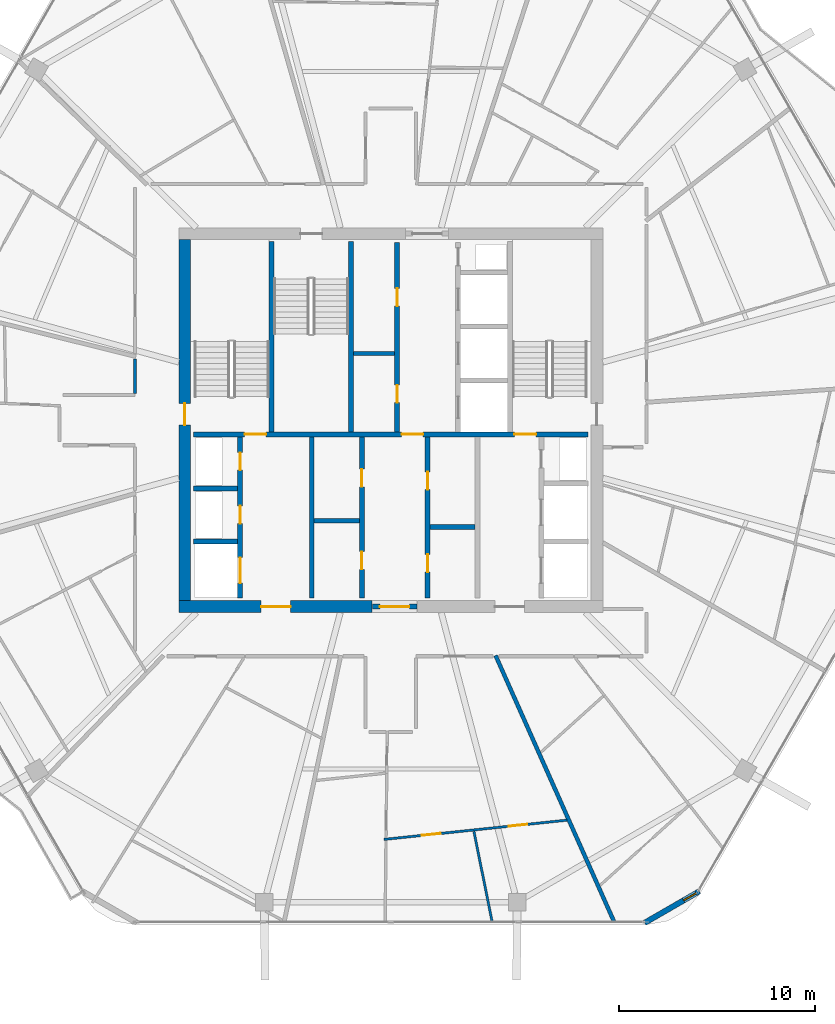
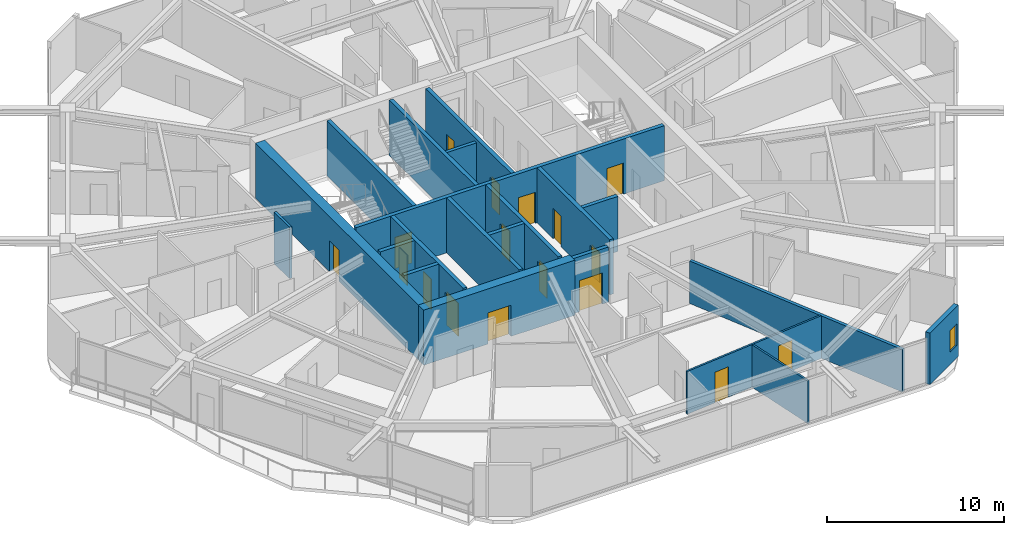
# One storey, part 19 of 26: 21 walls, 17 doors, 1 window, 18 openings.
"""IFC4 building model written with IfcOpenShell, lengths in metres."""

from ifc_helpers import new_model, si_unit, direction, frame, frame_2d, origin, place, context, subcontext, project, spatial, rectangle, extrude, material, layer, layer_set, type_object, element, fill, save


model = new_model("IFC4")

# Units and contexts
model_context = context("Model", 3, precision=1e-05, world=origin(), true_north=direction((0.0, 1.0)))
body_context = subcontext(model_context, "Body", "Model", "MODEL_VIEW")
ifc_project = project(units=[si_unit("LENGTHUNIT", "METRE"), si_unit("AREAUNIT", "SQUARE_METRE"), si_unit("VOLUMEUNIT", "CUBIC_METRE"), si_unit("PLANEANGLEUNIT", "RADIAN"), si_unit("MASSUNIT", "GRAM", prefix="KILO")], contexts=[model_context])

# Site, building, storey
site_placement = place(None, origin())
site = spatial("IfcSite", under=ifc_project, at=site_placement, CompositionType="ELEMENT")
building_placement = place(site_placement, origin())
building = spatial("IfcBuilding", under=site, at=building_placement, Name="Zuhravey Tower", CompositionType="ELEMENT")
storey_placement = place(building_placement, frame((0.0, 0.0, 250.199951171875)))
storey = spatial("IfcBuildingStorey", under=building, at=storey_placement, Name="L63", CompositionType="ELEMENT", Elevation=250.199951171875)

# Wall, opening, door
ifc_material_1 = material(Name="Concrete C50/60", Category="concrete")
ifc_layer_1 = layer(ifc_material_1, 0.60009765625)
ifc_layer_set_1 = layer_set([ifc_layer_1], Name="Concrete C50/60")
wall_type_1 = type_object("IfcWallType", Name="Core Shear Wall 600", PredefinedType="SHEAR", material=ifc_layer_set_1)
wall_1_placement = place(storey_placement, frame((25.199951171875, 22.5, 0.0), z_axis=(0.0, 0.0, 1.0), x_axis=(1.0, 0.0, 0.0)))
wall_1 = element("IfcWall", 1, at=wall_1_placement, inside=storey, type_object=wall_type_1, Name="L63 South-West Core Shear Wall CW60", PredefinedType="SHEAR", context=body_context, shape_type="SweptSolid", body=[
    extrude(rectangle(XDim=9.85009765625, YDim=0.60009765625, at=frame_2d((4.925048828125, 0.0))), origin(), (0.0, 0.0, 1.0), 3.800048828125),
])
opening_1_placement = place(wall_1_placement, frame((4.199951171875, 0.0, 0.0)))
opening_1 = element("IfcOpeningElement", 2, at=opening_1_placement, cuts=wall_1, Name="Opening FFD1", PredefinedType="OPENING", context=body_context, shape_type="SweptSolid", body=[
    extrude(rectangle(XDim=1.5, YDim=2.14990234375, at=frame_2d((0.75, 1.074951171875))), frame((0.0, 0.31201171875, 0.0), z_axis=(0.0, -1.0, 0.0), x_axis=(1.0, 0.0, 0.0)), (0.0, 0.0, 1.0), 0.6240234375),
])
ifc_material_2 = material(Name="Galvanised fire-rated steel leaf", Category="steel")
door_type_1 = type_object("IfcDoorType", Name="Firefighting Lobby Double Door 1500x2150", OperationType="DOUBLE_DOOR_SINGLE_SWING", PredefinedType="DOOR", material=ifc_material_2)
door_1_placement = place(opening_1_placement, origin())
door_1 = element("IfcDoor", 3, at=door_1_placement, inside=storey, type_object=door_type_1, Name="L63 Firefighting Lobby West Door", OperationType="DOUBLE_DOOR_SINGLE_SWING", OverallHeight=2.14990234375, OverallWidth=1.5, PredefinedType="DOOR", context=body_context, shape_type="SweptSolid", body=[
    extrude(rectangle(XDim=1.5, YDim=2.14990234375, at=frame_2d((0.75, 1.074951171875))), frame((0.0, 0.02490234375, 0.0), z_axis=(0.0, -1.0, 0.0), x_axis=(1.0, 0.0, 0.0)), (0.0, 0.0, 1.0), 0.050048828125),
])
fill(opening_1, door_1)

wall_2_placement = place(storey_placement, frame((25.5, 22.800048828125, 0.0), z_axis=(0.0, 0.0, 1.0), x_axis=(0.0, 1.0, 0.0)))
wall_2 = element("IfcWall", 4, at=wall_2_placement, inside=storey, type_object=wall_type_1, Name="L63 West Core Shear Wall CW60", PredefinedType="SHEAR", context=body_context, shape_type="SweptSolid", body=[
    extrude(rectangle(XDim=18.39990234375, YDim=0.60009765625, at=frame_2d((9.199951171875, 0.0))), origin(), (0.0, 0.0, 1.0), 3.800048828125),
])
opening_2_placement = place(wall_2_placement, frame((8.949951171875, 0.0, 0.0)))
opening_2 = element("IfcOpeningElement", 5, at=opening_2_placement, cuts=wall_2, Name="Opening STD1", PredefinedType="OPENING", context=body_context, shape_type="SweptSolid", body=[
    extrude(rectangle(XDim=1.10009765625, YDim=2.14990234375, at=frame_2d((0.550048828125, 1.074951171875))), frame((0.0, 0.31201171875, 0.0), z_axis=(0.0, -1.0, 0.0), x_axis=(1.0, 0.0, 0.0)), (0.0, 0.0, 1.0), 0.6240234375),
])
door_type_2 = type_object("IfcDoorType", Name="Protected Stair Fire Door 1100x2150", OperationType="NOTDEFINED", PredefinedType="USERDEFINED", material=ifc_material_2)
door_2_placement = place(opening_2_placement, frame((1.10009765625, 0.0, 0.0), z_axis=(0.0, 0.0, 1.0), x_axis=(-1.0, 0.0, 0.0)))
door_2 = element("IfcDoor", 6, at=door_2_placement, inside=storey, type_object=door_type_2, Name="L63 Stair ST1 Door", ObjectType="EXITDOOR", OperationType="SINGLE_SWING_RIGHT", OverallHeight=2.14990234375, OverallWidth=1.10009765625, PredefinedType="USERDEFINED", context=body_context, shape_type="SweptSolid", body=[
    extrude(rectangle(XDim=1.10009765625, YDim=2.14990234375, at=frame_2d((0.550048828125, 1.074951171875))), frame((0.0, 0.02490234375, 0.0), z_axis=(0.0, -1.0, 0.0), x_axis=(1.0, 0.0, 0.0)), (0.0, 0.0, 1.0), 0.050048828125),
])
fill(opening_2, door_2)

# Wall
ifc_material_3 = material(Name="Gypsum fire-rated stud partition")
ifc_layer_2 = layer(ifc_material_3, 0.159912109375)
ifc_layer_set_2 = layer_set([ifc_layer_2], Name="Gypsum fire-rated stud partition")
wall_type_2 = type_object("IfcWallType", Name="Corridor Fire Partition 160", PredefinedType="PARTITIONING", material=ifc_layer_set_2)
wall_3_placement = place(storey_placement, frame((22.969970703125, 35.107666015625, 0.0), z_axis=(0.0, 0.0, 1.0), x_axis=(0.0, -1.0, 0.0)))
element("IfcWall", 7, at=wall_3_placement, inside=storey, type_object=wall_type_2, Name="L63 IW16 Partition 127", PredefinedType="PARTITIONING", context=body_context, shape_type="SweptSolid", body=[
    extrude(rectangle(XDim=1.73974609375, YDim=0.159912109375, at=frame_2d((0.869873046875, 0.0))), origin(), (0.0, 0.0, 1.0), 3.550048828125),
])

# Wall, opening, window
ifc_material_4 = material(Name="Precast concrete C40/50", Category="concrete")
ifc_layer_3 = layer(ifc_material_4, 0.280029296875)
ifc_layer_set_3 = layer_set([ifc_layer_3], Name="Precast concrete C40/50")
wall_type_3 = type_object("IfcWallType", Name="Crown Architectural Wall 280", PredefinedType="SOLIDWALL", material=ifc_layer_set_3)
wall_4_placement = place(storey_placement, frame((51.714599609375, 7.996337890625, 0.0), z_axis=(0.0, 0.0, 1.0), x_axis=(-0.866028773314, -0.499994163758, 0.0)))
wall_4 = element("IfcWall", 8, at=wall_4_placement, inside=storey, type_object=wall_type_3, Name="L63 Rounded Corner Closure Wall EW28-02", PredefinedType="SOLIDWALL", context=body_context, shape_type="SweptSolid", body=[
    extrude(rectangle(XDim=3.21484375, YDim=0.280029296875, at=frame_2d((1.607421875, 0.0))), origin(), (0.0, 0.0, 1.0), 3.550048828125),
])
opening_3_placement = place(wall_4_placement, frame((0.17578125, 0.0, 0.85009765625)))
opening_3 = element("IfcOpeningElement", 9, at=opening_3_placement, cuts=wall_4, Name="Opening WN5", PredefinedType="OPENING", context=body_context, shape_type="SweptSolid", body=[
    extrude(rectangle(XDim=0.75, YDim=1.5, at=frame_2d((0.375, 0.75))), frame((0.0, 0.152099609375, 0.0), z_axis=(0.0, -1.0, 0.0), x_axis=(1.0, 0.0, 0.0)), (0.0, 0.0, 1.0), 0.303955078125),
])
ifc_material_5 = material(Name="Thermally broken aluminium and triple low-E glass", Category="aluminium")
window_type = type_object("IfcWindowType", Name="Residential Corner Casement Window 750x1500", PartitioningType="SINGLE_PANEL", PredefinedType="WINDOW", material=ifc_material_5)
window_placement = place(opening_3_placement, origin())
window = element("IfcWindow", 10, at=window_placement, inside=storey, type_object=window_type, Name="L63 Corner Casement Window WN5-02.1", OverallHeight=1.5, OverallWidth=0.75, PartitioningType="SINGLE_PANEL", PredefinedType="WINDOW", context=body_context, shape_type="SweptSolid", body=[
    extrude(rectangle(XDim=0.75, YDim=1.5, at=frame_2d((0.375, 0.75))), frame((0.0, 0.030029296875, 0.0), z_axis=(0.0, -1.0, 0.0), x_axis=(1.0, 0.0, 0.0)), (0.0, 0.0, 1.0), 0.06005859375),
])
fill(opening_3, window)

# Wall, opening, door
ifc_layer_4 = layer(ifc_material_1, 0.25)
ifc_layer_set_4 = layer_set([ifc_layer_4], Name="Concrete C50/60")
wall_type_4 = type_object("IfcWallType", Name="Firefighting Shaft & Stair Wall 250", PredefinedType="SOLIDWALL", material=ifc_layer_set_4)
wall_5_placement = place(storey_placement, frame((35.06005859375, 22.5, 0.0), z_axis=(0.0, 0.0, 1.0), x_axis=(1.0, 0.0, 0.0)))
wall_5 = element("IfcWall", 11, at=wall_5_placement, inside=storey, type_object=wall_type_4, Name="L63 FW25 Shaft Wall 001", PredefinedType="SOLIDWALL", context=body_context, shape_type="SweptSolid", body=[
    extrude(rectangle(XDim=2.280029296875, YDim=0.25, at=frame_2d((1.14013671875, 0.0))), origin(), (0.0, 0.0, 1.0), 3.800048828125),
])
opening_4_placement = place(wall_5_placement, frame((0.389892578125, 0.0, 0.0)))
opening_4 = element("IfcOpeningElement", 12, at=opening_4_placement, cuts=wall_5, Name="Opening FFD1", PredefinedType="OPENING", context=body_context, shape_type="SweptSolid", body=[
    extrude(rectangle(XDim=1.5, YDim=2.14990234375, at=frame_2d((0.75, 1.074951171875))), frame((0.0, 0.136962890625, 0.0), z_axis=(0.0, -1.0, 0.0), x_axis=(1.0, 0.0, 0.0)), (0.0, 0.0, 1.0), 0.27392578125),
])
door_3_placement = place(opening_4_placement, frame((1.5, 0.0, 0.0), z_axis=(0.0, 0.0, 1.0), x_axis=(-1.0, 0.0, 0.0)))
door_3 = element("IfcDoor", 13, at=door_3_placement, inside=storey, type_object=door_type_1, Name="L63 South Lift Lobby Exit Door", OperationType="DOUBLE_DOOR_SINGLE_SWING", OverallHeight=2.14990234375, OverallWidth=1.5, PredefinedType="DOOR", context=body_context, shape_type="SweptSolid", body=[
    extrude(rectangle(XDim=1.5, YDim=2.14990234375, at=frame_2d((0.75, 1.074951171875))), frame((0.0, 0.02490234375, 0.0), z_axis=(0.0, -1.0, 0.0), x_axis=(1.0, 0.0, 0.0)), (0.0, 0.0, 1.0), 0.050048828125),
])
fill(opening_4, door_3)

# Wall, openings, doors
wall_6_placement = place(storey_placement, frame((25.949951171875, 31.27490234375, 0.0), z_axis=(0.0, 0.0, 1.0), x_axis=(1.0, 0.0, 0.0)))
wall_6 = element("IfcWall", 14, at=wall_6_placement, inside=storey, type_object=wall_type_4, Name="L63 FW25 Shaft Wall 003", PredefinedType="SOLIDWALL", context=body_context, shape_type="SweptSolid", body=[
    extrude(rectangle(XDim=20.10009765625, YDim=0.25, at=frame_2d((10.050048828125, 0.0))), origin(), (0.0, 0.0, 1.0), 3.800048828125),
])
opening_5_placement = place(wall_6_placement, frame((2.60009765625, 0.0, 0.0)))
opening_5 = element("IfcOpeningElement", 15, at=opening_5_placement, cuts=wall_6, Name="Opening STD1", PredefinedType="OPENING", context=body_context, shape_type="SweptSolid", body=[
    extrude(rectangle(XDim=1.10009765625, YDim=2.14990234375, at=frame_2d((0.550048828125, 1.074951171875))), frame((0.0, 0.136962890625, 0.0), z_axis=(0.0, -1.0, 0.0), x_axis=(1.0, 0.0, 0.0)), (0.0, 0.0, 1.0), 0.27392578125),
])
opening_6_placement = place(wall_6_placement, frame((10.60009765625, 0.0, 0.0)))
opening_6 = element("IfcOpeningElement", 16, at=opening_6_placement, cuts=wall_6, Name="Opening STD1", PredefinedType="OPENING", context=body_context, shape_type="SweptSolid", body=[
    extrude(rectangle(XDim=1.10009765625, YDim=2.14990234375, at=frame_2d((0.550048828125, 1.074951171875))), frame((0.0, 0.136962890625, 0.0), z_axis=(0.0, -1.0, 0.0), x_axis=(1.0, 0.0, 0.0)), (0.0, 0.0, 1.0), 0.27392578125),
])
opening_7_placement = place(wall_6_placement, frame((16.35009765625, 0.0, 0.0)))
opening_7 = element("IfcOpeningElement", 17, at=opening_7_placement, cuts=wall_6, Name="Opening STD1", PredefinedType="OPENING", context=body_context, shape_type="SweptSolid", body=[
    extrude(rectangle(XDim=1.10009765625, YDim=2.14990234375, at=frame_2d((0.550048828125, 1.074951171875))), frame((0.0, 0.136962890625, 0.0), z_axis=(0.0, -1.0, 0.0), x_axis=(1.0, 0.0, 0.0)), (0.0, 0.0, 1.0), 0.27392578125),
])
door_4_placement = place(opening_5_placement, origin())
door_4 = element("IfcDoor", 18, at=door_4_placement, inside=storey, type_object=door_type_2, Name="L63 FFL-W to ST1 Door", ObjectType="EXITDOOR", OperationType="SINGLE_SWING_LEFT", OverallHeight=2.14990234375, OverallWidth=1.10009765625, PredefinedType="USERDEFINED", context=body_context, shape_type="SweptSolid", body=[
    extrude(rectangle(XDim=1.10009765625, YDim=2.14990234375, at=frame_2d((0.550048828125, 1.074951171875))), frame((0.0, 0.02490234375, 0.0), z_axis=(0.0, -1.0, 0.0), x_axis=(1.0, 0.0, 0.0)), (0.0, 0.0, 1.0), 0.050048828125),
])
fill(opening_5, door_4)
door_5_placement = place(opening_6_placement, origin())
door_5 = element("IfcDoor", 19, at=door_5_placement, inside=storey, type_object=door_type_2, Name="L63 Core Lobby Link Door", ObjectType="EXITDOOR", OperationType="SINGLE_SWING_RIGHT", OverallHeight=2.14990234375, OverallWidth=1.10009765625, PredefinedType="USERDEFINED", context=body_context, shape_type="SweptSolid", body=[
    extrude(rectangle(XDim=1.10009765625, YDim=2.14990234375, at=frame_2d((0.550048828125, 1.074951171875))), frame((0.0, 0.02490234375, 0.0), z_axis=(0.0, -1.0, 0.0), x_axis=(1.0, 0.0, 0.0)), (0.0, 0.0, 1.0), 0.050048828125),
])
fill(opening_6, door_5)
door_6_placement = place(opening_7_placement, origin())
door_6 = element("IfcDoor", 20, at=door_6_placement, inside=storey, type_object=door_type_2, Name="L63 FFL-E to ST2 Door", ObjectType="EXITDOOR", OperationType="SINGLE_SWING_LEFT", OverallHeight=2.14990234375, OverallWidth=1.10009765625, PredefinedType="USERDEFINED", context=body_context, shape_type="SweptSolid", body=[
    extrude(rectangle(XDim=1.10009765625, YDim=2.14990234375, at=frame_2d((0.550048828125, 1.074951171875))), frame((0.0, 0.02490234375, 0.0), z_axis=(0.0, -1.0, 0.0), x_axis=(1.0, 0.0, 0.0)), (0.0, 0.0, 1.0), 0.050048828125),
])
fill(opening_7, door_6)

# Walls
for number, where, z_axis, x_axis, name in (
    (21, (29.925048828125, 31.39990234375, 0.0), (0.0, 0.0, 1.0), (0.0, 1.0, 0.0), "L63 FW25 Shaft Wall 004"),
    (22, (33.97509765625, 31.39990234375, 0.0), (0.0, 0.0, 1.0), (0.0, 1.0, 0.0), "L63 FW25 Shaft Wall 005"),
):
    element("IfcWall", number, at=place(storey_placement, frame(where, z_axis=z_axis, x_axis=x_axis)), inside=storey, type_object=wall_type_4, Name=name, PredefinedType="SOLIDWALL", context=body_context, shape_type="SweptSolid", body=[
        extrude(rectangle(XDim=9.7001953125, YDim=0.25, at=frame_2d((4.85009765625, 0.0))), origin(), (0.0, 0.0, 1.0), 3.800048828125),
    ])

# Wall, openings, doors
wall_7_placement = place(storey_placement, frame((36.324951171875, 31.39990234375, 0.0), z_axis=(0.0, 0.0, 1.0), x_axis=(0.0, 1.0, 0.0)))
wall_7 = element("IfcWall", 23, at=wall_7_placement, inside=storey, type_object=wall_type_4, Name="L63 FW25 Shaft Wall 007", PredefinedType="SOLIDWALL", context=body_context, shape_type="SweptSolid", body=[
    extrude(rectangle(XDim=9.650146484375, YDim=0.25, at=frame_2d((4.8251953125, 0.0))), origin(), (0.0, 0.0, 1.0), 3.800048828125),
])
opening_8_placement = place(wall_7_placement, frame((1.489990234375, 0.0, 0.0)))
opening_8 = element("IfcOpeningElement", 24, at=opening_8_placement, cuts=wall_7, Name="Opening RSD1", PredefinedType="OPENING", context=body_context, shape_type="SweptSolid", body=[
    extrude(rectangle(XDim=0.89990234375, YDim=2.10009765625, at=frame_2d((0.449951171875, 1.050048828125))), frame((0.0, 0.136962890625, 0.0), z_axis=(0.0, -1.0, 0.0), x_axis=(1.0, 0.0, 0.0)), (0.0, 0.0, 1.0), 0.27392578125),
])
opening_9_placement = place(wall_7_placement, frame((6.409912109375, 0.0, 0.0)))
opening_9 = element("IfcOpeningElement", 25, at=opening_9_placement, cuts=wall_7, Name="Opening RSD1", PredefinedType="OPENING", context=body_context, shape_type="SweptSolid", body=[
    extrude(rectangle(XDim=0.89990234375, YDim=2.10009765625, at=frame_2d((0.449951171875, 1.050048828125))), frame((0.0, 0.136962890625, 0.0), z_axis=(0.0, -1.0, 0.0), x_axis=(1.0, 0.0, 0.0)), (0.0, 0.0, 1.0), 0.27392578125),
])
ifc_material_6 = material(Name="Galvanised fire-rated steel access leaf", Category="steel")
door_type_3 = type_object("IfcDoorType", Name="Riser & Shaft Access Fire Door 900x2100", OperationType="NOTDEFINED", PredefinedType="DOOR", material=ifc_material_6)
door_7_placement = place(opening_8_placement, origin())
door_7 = element("IfcDoor", 26, at=door_7_placement, inside=storey, type_object=door_type_3, Name="L63 Core Cleaner Store Door", OperationType="SINGLE_SWING_RIGHT", OverallHeight=2.10009765625, OverallWidth=0.89990234375, PredefinedType="DOOR", context=body_context, shape_type="SweptSolid", body=[
    extrude(rectangle(XDim=0.89990234375, YDim=2.10009765625, at=frame_2d((0.449951171875, 1.050048828125))), frame((0.0, 0.02490234375, 0.0), z_axis=(0.0, -1.0, 0.0), x_axis=(1.0, 0.0, 0.0)), (0.0, 0.0, 1.0), 0.050048828125),
])
fill(opening_8, door_7)
door_8_placement = place(opening_9_placement, origin())
door_8 = element("IfcDoor", 27, at=door_8_placement, inside=storey, type_object=door_type_3, Name="L63 Core Pantry and Tea Room Door", OperationType="SINGLE_SWING_LEFT", OverallHeight=2.10009765625, OverallWidth=0.89990234375, PredefinedType="DOOR", context=body_context, shape_type="SweptSolid", body=[
    extrude(rectangle(XDim=0.89990234375, YDim=2.10009765625, at=frame_2d((0.449951171875, 1.050048828125))), frame((0.0, 0.02490234375, 0.0), z_axis=(0.0, -1.0, 0.0), x_axis=(1.0, 0.0, 0.0)), (0.0, 0.0, 1.0), 0.050048828125),
])
fill(opening_9, door_8)

# Walls
for number, where, z_axis, x_axis, name in (
    (28, (25.949951171875, 25.824951171875, 0.0), (0.0, 0.0, 1.0), (1.0, 0.0, 0.0), "L63 FW25 Shaft Wall 009"),
    (29, (25.949951171875, 28.52490234375, 0.0), (0.0, 0.0, 1.0), (1.0, 0.0, 0.0), "L63 FW25 Shaft Wall 010"),
):
    element("IfcWall", number, at=place(storey_placement, frame(where, z_axis=z_axis, x_axis=x_axis)), inside=storey, type_object=wall_type_4, Name=name, PredefinedType="SOLIDWALL", context=body_context, shape_type="SweptSolid", body=[
        extrude(rectangle(XDim=2.25, YDim=0.25, at=frame_2d((1.125, 0.0))), origin(), (0.0, 0.0, 1.0), 3.800048828125),
    ])

# Wall, openings, doors
wall_8_placement = place(storey_placement, frame((28.324951171875, 22.949951171875, 0.0), z_axis=(0.0, 0.0, 1.0), x_axis=(0.0, 1.0, 0.0)))
wall_8 = element("IfcWall", 30, at=wall_8_placement, inside=storey, type_object=wall_type_4, Name="L63 FW25 Shaft Wall 011", PredefinedType="SOLIDWALL", context=body_context, shape_type="SweptSolid", body=[
    extrude(rectangle(XDim=8.199951171875, YDim=0.25, at=frame_2d((4.10009765625, 0.0))), origin(), (0.0, 0.0, 1.0), 3.800048828125),
])
opening_10_placement = place(wall_8_placement, frame((0.75, 0.0, 0.0)))
opening_10 = element("IfcOpeningElement", 31, at=opening_10_placement, cuts=wall_8, Name="Opening LD2", PredefinedType="OPENING", context=body_context, shape_type="SweptSolid", body=[
    extrude(rectangle(XDim=1.300048828125, YDim=2.300048828125, at=frame_2d((0.64990234375, 1.14990234375))), frame((0.0, 0.136962890625, 0.0), z_axis=(0.0, -1.0, 0.0), x_axis=(1.0, 0.0, 0.0)), (0.0, 0.0, 1.0), 0.27392578125),
])
opening_11_placement = place(wall_8_placement, frame((3.780029296875, 0.0, 0.0)))
opening_11 = element("IfcOpeningElement", 32, at=opening_11_placement, cuts=wall_8, Name="Opening RSD1", PredefinedType="OPENING", context=body_context, shape_type="SweptSolid", body=[
    extrude(rectangle(XDim=0.89990234375, YDim=2.10009765625, at=frame_2d((0.449951171875, 1.050048828125))), frame((0.0, 0.136962890625, 0.0), z_axis=(0.0, -1.0, 0.0), x_axis=(1.0, 0.0, 0.0)), (0.0, 0.0, 1.0), 0.27392578125),
])
opening_12_placement = place(wall_8_placement, frame((6.5, 0.0, 0.0)))
opening_12 = element("IfcOpeningElement", 33, at=opening_12_placement, cuts=wall_8, Name="Opening RSD1", PredefinedType="OPENING", context=body_context, shape_type="SweptSolid", body=[
    extrude(rectangle(XDim=0.89990234375, YDim=2.10009765625, at=frame_2d((0.449951171875, 1.050048828125))), frame((0.0, 0.136962890625, 0.0), z_axis=(0.0, -1.0, 0.0), x_axis=(1.0, 0.0, 0.0)), (0.0, 0.0, 1.0), 0.27392578125),
])
ifc_material_7 = material(Name="Brushed stainless steel", Category="steel")
door_type_4 = type_object("IfcDoorType", Name="Freight & Stretcher Lift Sliding Door 1300x2300", OperationType="DOUBLE_DOOR_SLIDING", PredefinedType="DOOR", material=ifc_material_7)
door_9_placement = place(opening_10_placement, frame((1.300048828125, 0.0, 0.0), z_axis=(0.0, 0.0, 1.0), x_axis=(-1.0, 0.0, 0.0)))
door_9 = element("IfcDoor", 34, at=door_9_placement, inside=storey, type_object=door_type_4, Name="L63 Lift FF1 Landing Door", OperationType="DOUBLE_DOOR_SLIDING", OverallHeight=2.300048828125, OverallWidth=1.300048828125, PredefinedType="DOOR", context=body_context, shape_type="SweptSolid", body=[
    extrude(rectangle(XDim=1.300048828125, YDim=2.300048828125, at=frame_2d((0.64990234375, 1.14990234375))), frame((0.0, 0.02490234375, 0.0), z_axis=(0.0, -1.0, 0.0), x_axis=(1.0, 0.0, 0.0)), (0.0, 0.0, 1.0), 0.050048828125),
])
fill(opening_10, door_9)
door_10_placement = place(opening_11_placement, frame((0.89990234375, 0.0, 0.0), z_axis=(0.0, 0.0, 1.0), x_axis=(-1.0, 0.0, 0.0)))
door_10 = element("IfcDoor", 35, at=door_10_placement, inside=storey, type_object=door_type_3, Name="L63 Electrical Riser Door", OperationType="SINGLE_SWING_LEFT", OverallHeight=2.10009765625, OverallWidth=0.89990234375, PredefinedType="DOOR", context=body_context, shape_type="SweptSolid", body=[
    extrude(rectangle(XDim=0.89990234375, YDim=2.10009765625, at=frame_2d((0.449951171875, 1.050048828125))), frame((0.0, 0.02490234375, 0.0), z_axis=(0.0, -1.0, 0.0), x_axis=(1.0, 0.0, 0.0)), (0.0, 0.0, 1.0), 0.050048828125),
])
fill(opening_11, door_10)
door_11_placement = place(opening_12_placement, frame((0.89990234375, 0.0, 0.0), z_axis=(0.0, 0.0, 1.0), x_axis=(-1.0, 0.0, 0.0)))
door_11 = element("IfcDoor", 36, at=door_11_placement, inside=storey, type_object=door_type_3, Name="L63 Smoke Shaft Access Door", OperationType="SINGLE_SWING_RIGHT", OverallHeight=2.10009765625, OverallWidth=0.89990234375, PredefinedType="DOOR", context=body_context, shape_type="SweptSolid", body=[
    extrude(rectangle(XDim=0.89990234375, YDim=2.10009765625, at=frame_2d((0.449951171875, 1.050048828125))), frame((0.0, 0.02490234375, 0.0), z_axis=(0.0, -1.0, 0.0), x_axis=(1.0, 0.0, 0.0)), (0.0, 0.0, 1.0), 0.050048828125),
])
fill(opening_12, door_11)

# Walls
wall_9_placement = place(storey_placement, frame((31.97509765625, 22.949951171875, 0.0), z_axis=(0.0, 0.0, 1.0), x_axis=(0.0, 1.0, 0.0)))
element("IfcWall", 37, at=wall_9_placement, inside=storey, type_object=wall_type_4, Name="L63 FW25 Shaft Wall 012", PredefinedType="SOLIDWALL", context=body_context, shape_type="SweptSolid", body=[
    extrude(rectangle(XDim=8.199951171875, YDim=0.25, at=frame_2d((4.10009765625, 0.0))), origin(), (0.0, 0.0, 1.0), 3.800048828125),
])
wall_10_placement = place(storey_placement, frame((32.10009765625, 26.875, 0.0), z_axis=(0.0, 0.0, 1.0), x_axis=(1.0, 0.0, 0.0)))
element("IfcWall", 38, at=wall_10_placement, inside=storey, type_object=wall_type_4, Name="L63 FW25 Shaft Wall 013", PredefinedType="SOLIDWALL", context=body_context, shape_type="SweptSolid", body=[
    extrude(rectangle(XDim=2.2998046875, YDim=0.25, at=frame_2d((1.14990234375, 0.0))), origin(), (0.0, 0.0, 1.0), 3.800048828125),
])

# Wall, openings, doors
wall_11_placement = place(storey_placement, frame((34.52490234375, 22.949951171875, 0.0), z_axis=(0.0, 0.0, 1.0), x_axis=(0.0, 1.0, 0.0)))
wall_11 = element("IfcWall", 39, at=wall_11_placement, inside=storey, type_object=wall_type_4, Name="L63 FW25 Shaft Wall 014", PredefinedType="SOLIDWALL", context=body_context, shape_type="SweptSolid", body=[
    extrude(rectangle(XDim=8.199951171875, YDim=0.25, at=frame_2d((4.10009765625, 0.0))), origin(), (0.0, 0.0, 1.0), 3.800048828125),
])
opening_13_placement = place(wall_11_placement, frame((1.449951171875, 0.0, 0.0)))
opening_13 = element("IfcOpeningElement", 40, at=opening_13_placement, cuts=wall_11, Name="Opening RSD1", PredefinedType="OPENING", context=body_context, shape_type="SweptSolid", body=[
    extrude(rectangle(XDim=0.89990234375, YDim=2.10009765625, at=frame_2d((0.449951171875, 1.050048828125))), frame((0.0, 0.136962890625, 0.0), z_axis=(0.0, -1.0, 0.0), x_axis=(1.0, 0.0, 0.0)), (0.0, 0.0, 1.0), 0.27392578125),
])
opening_14_placement = place(wall_11_placement, frame((5.64990234375, 0.0, 0.0)))
opening_14 = element("IfcOpeningElement", 41, at=opening_14_placement, cuts=wall_11, Name="Opening RSD1", PredefinedType="OPENING", context=body_context, shape_type="SweptSolid", body=[
    extrude(rectangle(XDim=0.89990234375, YDim=2.10009765625, at=frame_2d((0.449951171875, 1.050048828125))), frame((0.0, 0.136962890625, 0.0), z_axis=(0.0, -1.0, 0.0), x_axis=(1.0, 0.0, 0.0)), (0.0, 0.0, 1.0), 0.27392578125),
])
door_12_placement = place(opening_13_placement, origin())
door_12 = element("IfcDoor", 42, at=door_12_placement, inside=storey, type_object=door_type_3, Name="L63 Housekeeping and Linen Room Door", OperationType="SINGLE_SWING_LEFT", OverallHeight=2.10009765625, OverallWidth=0.89990234375, PredefinedType="DOOR", context=body_context, shape_type="SweptSolid", body=[
    extrude(rectangle(XDim=0.89990234375, YDim=2.10009765625, at=frame_2d((0.449951171875, 1.050048828125))), frame((0.0, 0.02490234375, 0.0), z_axis=(0.0, -1.0, 0.0), x_axis=(1.0, 0.0, 0.0)), (0.0, 0.0, 1.0), 0.050048828125),
])
fill(opening_13, door_12)
door_13_placement = place(opening_14_placement, origin())
door_13 = element("IfcDoor", 43, at=door_13_placement, inside=storey, type_object=door_type_3, Name="L63 Telecoms Switch Closet Door", OperationType="SINGLE_SWING_RIGHT", OverallHeight=2.10009765625, OverallWidth=0.89990234375, PredefinedType="DOOR", context=body_context, shape_type="SweptSolid", body=[
    extrude(rectangle(XDim=0.89990234375, YDim=2.10009765625, at=frame_2d((0.449951171875, 1.050048828125))), frame((0.0, 0.02490234375, 0.0), z_axis=(0.0, -1.0, 0.0), x_axis=(1.0, 0.0, 0.0)), (0.0, 0.0, 1.0), 0.050048828125),
])
fill(opening_14, door_13)

# Wall
wall_12_placement = place(storey_placement, frame((38.0, 26.550048828125, 0.0), z_axis=(0.0, 0.0, 1.0), x_axis=(1.0, 0.0, 0.0)))
element("IfcWall", 44, at=wall_12_placement, inside=storey, type_object=wall_type_4, Name="L63 FW25 Shaft Wall 015", PredefinedType="SOLIDWALL", context=body_context, shape_type="SweptSolid", body=[
    extrude(rectangle(XDim=2.300048828125, YDim=0.25, at=frame_2d((1.14990234375, 0.0))), origin(), (0.0, 0.0, 1.0), 3.800048828125),
])

# Wall, openings, doors
wall_13_placement = place(storey_placement, frame((37.875, 22.949951171875, 0.0), z_axis=(0.0, 0.0, 1.0), x_axis=(0.0, 1.0, 0.0)))
wall_13 = element("IfcWall", 45, at=wall_13_placement, inside=storey, type_object=wall_type_4, Name="L63 FW25 Shaft Wall 016", PredefinedType="SOLIDWALL", context=body_context, shape_type="SweptSolid", body=[
    extrude(rectangle(XDim=8.199951171875, YDim=0.25, at=frame_2d((4.10009765625, 0.0))), origin(), (0.0, 0.0, 1.0), 3.800048828125),
])
opening_15_placement = place(wall_13_placement, frame((1.3125, 0.0, 0.0)))
opening_15 = element("IfcOpeningElement", 46, at=opening_15_placement, cuts=wall_13, Name="Opening RSD1", PredefinedType="OPENING", context=body_context, shape_type="SweptSolid", body=[
    extrude(rectangle(XDim=0.89990234375, YDim=2.10009765625, at=frame_2d((0.449951171875, 1.050048828125))), frame((0.0, 0.136962890625, 0.0), z_axis=(0.0, -1.0, 0.0), x_axis=(1.0, 0.0, 0.0)), (0.0, 0.0, 1.0), 0.27392578125),
])
opening_16_placement = place(wall_13_placement, frame((5.512451171875, 0.0, 0.0)))
opening_16 = element("IfcOpeningElement", 47, at=opening_16_placement, cuts=wall_13, Name="Opening RSD1", PredefinedType="OPENING", context=body_context, shape_type="SweptSolid", body=[
    extrude(rectangle(XDim=0.89990234375, YDim=2.10009765625, at=frame_2d((0.449951171875, 1.050048828125))), frame((0.0, 0.136962890625, 0.0), z_axis=(0.0, -1.0, 0.0), x_axis=(1.0, 0.0, 0.0)), (0.0, 0.0, 1.0), 0.27392578125),
])
door_14_placement = place(opening_15_placement, frame((0.89990234375, 0.0, 0.0), z_axis=(0.0, 0.0, 1.0), x_axis=(-1.0, 0.0, 0.0)))
door_14 = element("IfcDoor", 48, at=door_14_placement, inside=storey, type_object=door_type_3, Name="L63 Trunk Store Door", OperationType="SINGLE_SWING_LEFT", OverallHeight=2.10009765625, OverallWidth=0.89990234375, PredefinedType="DOOR", context=body_context, shape_type="SweptSolid", body=[
    extrude(rectangle(XDim=0.89990234375, YDim=2.10009765625, at=frame_2d((0.449951171875, 1.050048828125))), frame((0.0, 0.02490234375, 0.0), z_axis=(0.0, -1.0, 0.0), x_axis=(1.0, 0.0, 0.0)), (0.0, 0.0, 1.0), 0.050048828125),
])
fill(opening_15, door_14)
door_15_placement = place(opening_16_placement, frame((0.89990234375, 0.0, 0.0), z_axis=(0.0, 0.0, 1.0), x_axis=(-1.0, 0.0, 0.0)))
door_15 = element("IfcDoor", 49, at=door_15_placement, inside=storey, type_object=door_type_3, Name="L63 Fiber Room Door", OperationType="SINGLE_SWING_RIGHT", OverallHeight=2.10009765625, OverallWidth=0.89990234375, PredefinedType="DOOR", context=body_context, shape_type="SweptSolid", body=[
    extrude(rectangle(XDim=0.89990234375, YDim=2.10009765625, at=frame_2d((0.449951171875, 1.050048828125))), frame((0.0, 0.02490234375, 0.0), z_axis=(0.0, -1.0, 0.0), x_axis=(1.0, 0.0, 0.0)), (0.0, 0.0, 1.0), 0.050048828125),
])
fill(opening_16, door_15)

# Walls
ifc_material_8 = material(Name="Gypsum double-stud party assembly")
ifc_layer_5 = layer(ifc_material_8, 0.199951171875)
ifc_layer_set_5 = layer_set([ifc_layer_5], Name="Gypsum double-stud party assembly")
wall_type_5 = type_object("IfcWallType", Name="Inter-Tenancy Party Wall 200", PredefinedType="PARTITIONING", material=ifc_layer_set_5)
wall_14_placement = place(storey_placement, frame((41.33837890625, 20.010009765625, 0.0), z_axis=(0.0, 0.0, 1.0), x_axis=(0.406725337387, -0.913550491176, 0.0)))
element("IfcWall", 50, at=wall_14_placement, inside=storey, type_object=wall_type_5, Name="L63 IW20 Partition 100", PredefinedType="PARTITIONING", context=body_context, shape_type="SweptSolid", body=[
    extrude(rectangle(XDim=14.858154296875, YDim=0.199951171875, at=frame_2d((7.42919921875, 0.0))), origin(), (0.0, 0.0, 1.0), 2.929931640625),
])
ifc_material_9 = material(Name="Gypsum acoustic stud assembly")
ifc_layer_6 = layer(ifc_material_9, 0.219970703125)
ifc_layer_set_6 = layer_set([ifc_layer_6], Name="Gypsum acoustic stud assembly")
wall_type_6 = type_object("IfcWallType", Name="School Acoustic Compartment Wall 220", PredefinedType="PARTITIONING", material=ifc_layer_set_6)
wall_15_placement = place(storey_placement, frame((34.10791015625, 35.39990234375, 0.0), z_axis=(0.0, 0.0, 1.0), x_axis=(1.0, 0.0, 0.0)))
element("IfcWall", 51, at=wall_15_placement, inside=storey, type_object=wall_type_6, Name="L63 IW22 Partition 069", PredefinedType="PARTITIONING", context=body_context, shape_type="SweptSolid", body=[
    extrude(rectangle(XDim=2.083984375, YDim=0.219970703125, at=frame_2d((1.0419921875, 0.0))), origin(), (0.0, 0.0, 1.0), 3.550048828125),
])

# Wall, openings, doors
ifc_material_10 = material(Name="Gypsum metal-stud partition")
ifc_layer_7 = layer(ifc_material_10, 0.1201171875)
ifc_layer_set_7 = layer_set([ifc_layer_7], Name="Gypsum metal-stud partition")
wall_type_7 = type_object("IfcWallType", Name="Unit Internal Partition 120", PredefinedType="PARTITIONING", material=ifc_layer_set_7)
wall_16_placement = place(storey_placement, frame((35.65771484375, 10.64208984375, 0.0), z_axis=(0.0, 0.0, 1.0), x_axis=(0.994519444743, 0.104551776778, 0.0)))
wall_16 = element("IfcWall", 52, at=wall_16_placement, inside=storey, type_object=wall_type_7, Name="L63 IW12 Partition 043", PredefinedType="PARTITIONING", context=body_context, shape_type="SweptSolid", body=[
    extrude(rectangle(XDim=9.36376953125, YDim=0.1201171875, at=frame_2d((4.681884765625, 0.0))), origin(), (0.0, 0.0, 1.0), 2.949951171875),
])
opening_17_placement = place(wall_16_placement, frame((1.93896484375, 0.0, 0.0)))
opening_17 = element("IfcOpeningElement", 53, at=opening_17_placement, cuts=wall_16, Name="Opening IND1", PredefinedType="OPENING", context=body_context, shape_type="SweptSolid", body=[
    extrude(rectangle(XDim=0.949951171875, YDim=2.10009765625, at=frame_2d((0.47509765625, 1.050048828125))), frame((0.0, 0.072021484375, 0.0), z_axis=(0.0, -1.0, 0.0), x_axis=(1.0, 0.0, 0.0)), (0.0, 0.0, 1.0), 0.14404296875),
])
opening_18_placement = place(wall_16_placement, frame((6.380126953125, 0.0, 0.0)))
opening_18 = element("IfcOpeningElement", 54, at=opening_18_placement, cuts=wall_16, Name="Opening IND1", PredefinedType="OPENING", context=body_context, shape_type="SweptSolid", body=[
    extrude(rectangle(XDim=0.949951171875, YDim=2.10009765625, at=frame_2d((0.47509765625, 1.050048828125))), frame((0.0, 0.072021484375, 0.0), z_axis=(0.0, -1.0, 0.0), x_axis=(1.0, 0.0, 0.0)), (0.0, 0.0, 1.0), 0.14404296875),
])
ifc_material_11 = material(Name="Painted engineered timber leaf", Category="wood")
door_type_5 = type_object("IfcDoorType", Name="Internal Room & Bedroom Door 950x2100", OperationType="NOTDEFINED", PredefinedType="DOOR", material=ifc_material_11)
door_16_placement = place(opening_17_placement, frame((0.949951171875, 0.0, 0.0), z_axis=(0.0, 0.0, 1.0), x_axis=(-1.0, 0.0, 0.0)))
door_16 = element("IfcDoor", 55, at=door_16_placement, inside=storey, type_object=door_type_5, Name="Apartment L63-06 Family Study Door", OperationType="SINGLE_SWING_LEFT", OverallHeight=2.10009765625, OverallWidth=0.949951171875, PredefinedType="DOOR", context=body_context, shape_type="SweptSolid", body=[
    extrude(rectangle(XDim=0.949951171875, YDim=2.10009765625, at=frame_2d((0.47509765625, 1.050048828125))), frame((0.0, 0.02490234375, 0.0), z_axis=(0.0, -1.0, 0.0), x_axis=(1.0, 0.0, 0.0)), (0.0, 0.0, 1.0), 0.050048828125),
])
fill(opening_17, door_16)
door_17_placement = place(opening_18_placement, frame((0.949951171875, 0.0, 0.0), z_axis=(0.0, 0.0, 1.0), x_axis=(-1.0, 0.0, 0.0)))
door_17 = element("IfcDoor", 56, at=door_17_placement, inside=storey, type_object=door_type_5, Name="Apartment L63-06 Dining Room Door", OperationType="SINGLE_SWING_RIGHT", OverallHeight=2.10009765625, OverallWidth=0.949951171875, PredefinedType="DOOR", context=body_context, shape_type="SweptSolid", body=[
    extrude(rectangle(XDim=0.949951171875, YDim=2.10009765625, at=frame_2d((0.47509765625, 1.050048828125))), frame((0.0, 0.02490234375, 0.0), z_axis=(0.0, -1.0, 0.0), x_axis=(1.0, 0.0, 0.0)), (0.0, 0.0, 1.0), 0.050048828125),
])
fill(opening_18, door_17)

# Wall
wall_17_placement = place(storey_placement, frame((40.23291015625, 11.0546875, 0.0), z_axis=(0.0, 0.0, 1.0), x_axis=(0.198056275703, -0.980190650667, 0.0)))
element("IfcWall", 57, at=wall_17_placement, inside=storey, type_object=wall_type_7, Name="L63 IW12 Partition 097", PredefinedType="PARTITIONING", context=body_context, shape_type="SweptSolid", body=[
    extrude(rectangle(XDim=4.7421875, YDim=0.1201171875, at=frame_2d((2.37109375, 0.0))), origin(), (0.0, 0.0, 1.0), 2.929931640625),
])

save(model, "model.ifc")
